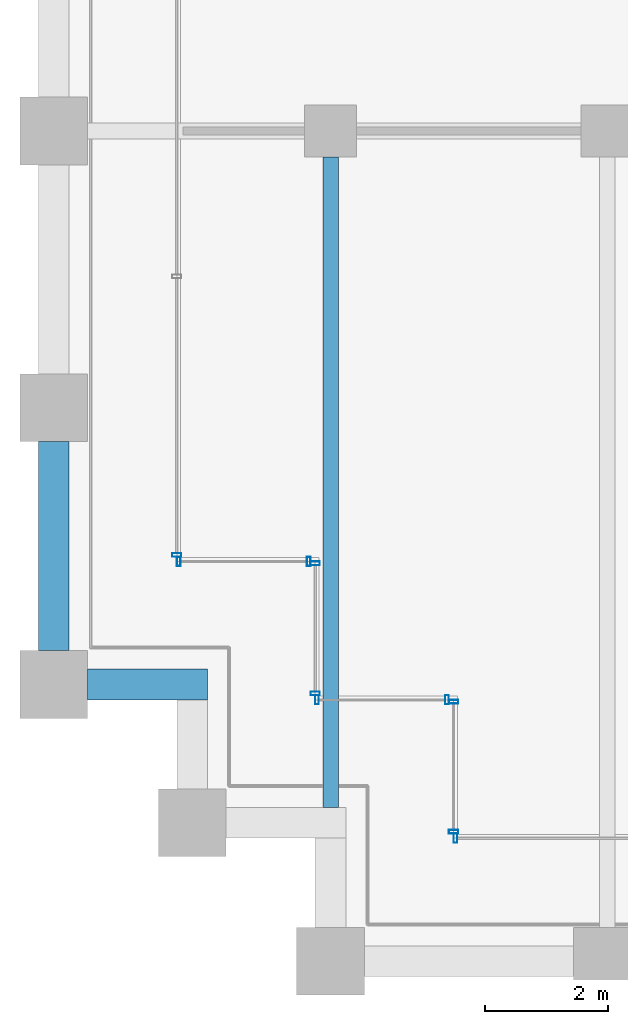
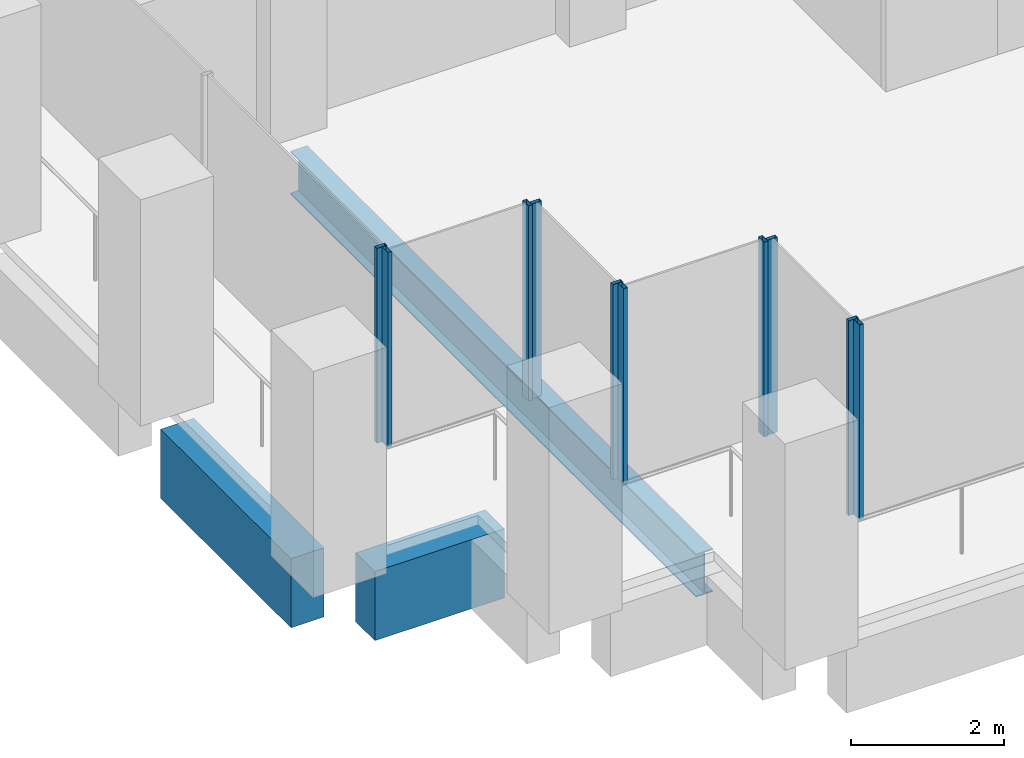
# One storey, part 2 of 56: 10 members, 3 beams, 6 elements without a shape of their own.
"""IFC4 building model written with IfcOpenShell, lengths in metres."""

from ifc_helpers import new_model, si_unit, direction, frame, origin, origin_2d, place, context, subcontext, project, spatial, rectangle, hollow_rectangle, i_section, extrude, material, material_profile, profile_set, type_object, element, aggregate, save


model = new_model("IFC4")

# Units and contexts
model_context = context("Model", 3, precision=1e-05, world=origin(), true_north=direction((0.0, 1.0)))
body_context = subcontext(model_context, "Body", "Model", "MODEL_VIEW")
ifc_project = project(units=[si_unit("LENGTHUNIT", "METRE"), si_unit("AREAUNIT", "SQUARE_METRE"), si_unit("VOLUMEUNIT", "CUBIC_METRE"), si_unit("PLANEANGLEUNIT", "RADIAN"), si_unit("MASSUNIT", "GRAM", prefix="KILO")], contexts=[model_context])

# Site, building, storey
site_placement = place(None, origin())
site = spatial("IfcSite", under=ifc_project, at=site_placement, CompositionType="ELEMENT")
building_placement = place(site_placement, origin())
building = spatial("IfcBuilding", under=site, at=building_placement, Name="Altepetl Exchange Towers", CompositionType="ELEMENT")
storey_placement = place(building_placement, frame((0.0, 0.0, 79.800048828125)))
storey = spatial("IfcBuildingStorey", under=building, at=storey_placement, Name="L19", CompositionType="ELEMENT", Elevation=79.800048828125)

# Beam
ifc_material_1 = material(Name="Steel S355", Category="steel")
ifc_material_profile_1 = material_profile(ifc_material_1, i_section(OverallWidth=0.25390625, OverallDepth=0.68408203125, WebThickness=0.012451171875, FlangeThickness=0.018798828125, at=origin_2d()), Name="W27X94")
ifc_profile_set_1 = profile_set([ifc_material_profile_1], Name="Steel S355")
beam_type_1 = type_object("IfcBeamType", Name="Floor beam W27X94", PredefinedType="BEAM", material=ifc_profile_set_1)
beam_1_placement = place(storey_placement, frame((31.5, 29.5, -0.491943359375), z_axis=(0.0, 1.0, 0.0), x_axis=(-1.0, 0.0, 0.0)))
element("IfcBeam", 1, at=beam_1_placement, inside=storey, type_object=beam_type_1, Name="bm:A:L19:012", PredefinedType="BEAM", context=body_context, shape_type="SweptSolid", body=[
    extrude(i_section(OverallWidth=0.25390625, OverallDepth=0.68408203125, WebThickness=0.012451171875, FlangeThickness=0.018798828125, at=origin_2d()), origin(), (0.0, 0.0, 1.0), 10.574951171875),
])

# Curtain wall, member
ifc_material_2 = material(Name="Aluminium 6063-T6 glazing", Category="aluminium")
curtain_wall_type = type_object("IfcCurtainWallType", Name="Loggia glazing system", PredefinedType="NOTDEFINED", material=ifc_material_2)
curtain_wall_1_placement = place(storey_placement, origin())
curtain_wall_1 = element("IfcCurtainWall", 2, at=curtain_wall_1_placement, inside=storey, type_object=curtain_wall_type, Name="CW1 run", PredefinedType="NOTDEFINED")
ifc_material_3 = material(Name="Aluminium 6063-T6", Category="aluminium")
ifc_material_profile_2 = material_profile(ifc_material_3, hollow_rectangle(XDim=0.06005859375, YDim=0.14990234375, WallThickness=0.0029296875, at=origin_2d()), Name="Mullion 60x150 aluminium")
ifc_profile_set_2 = profile_set([ifc_material_profile_2], Name="Aluminium 6063-T6")
member_type = type_object("IfcMemberType", Name="Mullion 60x150 aluminium", PredefinedType="MULLION", material=ifc_profile_set_2)
member_1_placement = place(storey_placement, frame((29.0, 33.60498046875, 0.0), z_axis=(0.0, 0.0, 1.0), x_axis=(0.0, -1.0, 0.0)))
member_1 = element("IfcMember", 3, at=member_1_placement, type_object=member_type, Name="MU1 mullion", PredefinedType="MULLION", context=body_context, shape_type="SweptSolid", body=[
    extrude(hollow_rectangle(XDim=0.06005859375, YDim=0.14990234375, WallThickness=0.0029296875, at=origin_2d()), origin(), (0.0, 0.0, 1.0), 3.099853515625),
])
aggregate(curtain_wall_1, [member_1])

# Curtain wall, members
curtain_wall_2_placement = place(storey_placement, origin())
curtain_wall_2 = element("IfcCurtainWall", 4, at=curtain_wall_2_placement, inside=storey, type_object=curtain_wall_type, Name="CW1 run", PredefinedType="NOTDEFINED")
member_2_placement = place(storey_placement, frame((29.030029296875, 33.5, 0.0)))
member_2 = element("IfcMember", 5, at=member_2_placement, type_object=member_type, Name="MU1 mullion", PredefinedType="MULLION", context=body_context, shape_type="SweptSolid", body=[
    extrude(hollow_rectangle(XDim=0.06005859375, YDim=0.14990234375, WallThickness=0.0029296875, at=origin_2d()), origin(), (0.0, 0.0, 1.0), 3.099853515625),
])
member_3_placement = place(storey_placement, frame((31.14501953125, 33.5, 0.0)))
member_3 = element("IfcMember", 6, at=member_3_placement, type_object=member_type, Name="MU1 mullion", PredefinedType="MULLION", context=body_context, shape_type="SweptSolid", body=[
    extrude(hollow_rectangle(XDim=0.06005859375, YDim=0.14990234375, WallThickness=0.0029296875, at=origin_2d()), origin(), (0.0, 0.0, 1.0), 3.099853515625),
])
aggregate(curtain_wall_2, [member_2, member_3])

curtain_wall_3_placement = place(storey_placement, origin())
curtain_wall_3 = element("IfcCurtainWall", 7, at=curtain_wall_3_placement, inside=storey, type_object=curtain_wall_type, Name="CW1 run", PredefinedType="NOTDEFINED")
member_4_placement = place(storey_placement, frame((31.25, 33.469970703125, 0.0), z_axis=(0.0, 0.0, 1.0), x_axis=(0.0, -1.0, 0.0)))
member_4 = element("IfcMember", 8, at=member_4_placement, type_object=member_type, Name="MU1 mullion", PredefinedType="MULLION", context=body_context, shape_type="SweptSolid", body=[
    extrude(hollow_rectangle(XDim=0.06005859375, YDim=0.14990234375, WallThickness=0.0029296875, at=origin_2d()), origin(), (0.0, 0.0, 1.0), 3.099853515625),
])
member_5_placement = place(storey_placement, frame((31.25, 31.35498046875, 0.0), z_axis=(0.0, 0.0, 1.0), x_axis=(0.0, -1.0, 0.0)))
member_5 = element("IfcMember", 9, at=member_5_placement, type_object=member_type, Name="MU1 mullion", PredefinedType="MULLION", context=body_context, shape_type="SweptSolid", body=[
    extrude(hollow_rectangle(XDim=0.06005859375, YDim=0.14990234375, WallThickness=0.0029296875, at=origin_2d()), origin(), (0.0, 0.0, 1.0), 3.099853515625),
])
aggregate(curtain_wall_3, [member_4, member_5])

curtain_wall_4_placement = place(storey_placement, origin())
curtain_wall_4 = element("IfcCurtainWall", 10, at=curtain_wall_4_placement, inside=storey, type_object=curtain_wall_type, Name="CW1 run", PredefinedType="NOTDEFINED")
member_6_placement = place(storey_placement, frame((31.280029296875, 31.25, 0.0)))
member_6 = element("IfcMember", 11, at=member_6_placement, type_object=member_type, Name="MU1 mullion", PredefinedType="MULLION", context=body_context, shape_type="SweptSolid", body=[
    extrude(hollow_rectangle(XDim=0.06005859375, YDim=0.14990234375, WallThickness=0.0029296875, at=origin_2d()), origin(), (0.0, 0.0, 1.0), 3.099853515625),
])
member_7_placement = place(storey_placement, frame((33.39501953125, 31.25, 0.0)))
member_7 = element("IfcMember", 12, at=member_7_placement, type_object=member_type, Name="MU1 mullion", PredefinedType="MULLION", context=body_context, shape_type="SweptSolid", body=[
    extrude(hollow_rectangle(XDim=0.06005859375, YDim=0.14990234375, WallThickness=0.0029296875, at=origin_2d()), origin(), (0.0, 0.0, 1.0), 3.099853515625),
])
aggregate(curtain_wall_4, [member_6, member_7])

curtain_wall_5_placement = place(storey_placement, origin())
curtain_wall_5 = element("IfcCurtainWall", 13, at=curtain_wall_5_placement, inside=storey, type_object=curtain_wall_type, Name="CW1 run", PredefinedType="NOTDEFINED")
member_8_placement = place(storey_placement, frame((33.5, 31.219970703125, 0.0), z_axis=(0.0, 0.0, 1.0), x_axis=(0.0, -1.0, 0.0)))
member_8 = element("IfcMember", 14, at=member_8_placement, type_object=member_type, Name="MU1 mullion", PredefinedType="MULLION", context=body_context, shape_type="SweptSolid", body=[
    extrude(hollow_rectangle(XDim=0.06005859375, YDim=0.14990234375, WallThickness=0.0029296875, at=origin_2d()), origin(), (0.0, 0.0, 1.0), 3.099853515625),
])
member_9_placement = place(storey_placement, frame((33.5, 29.10498046875, 0.0), z_axis=(0.0, 0.0, 1.0), x_axis=(0.0, -1.0, 0.0)))
member_9 = element("IfcMember", 15, at=member_9_placement, type_object=member_type, Name="MU1 mullion", PredefinedType="MULLION", context=body_context, shape_type="SweptSolid", body=[
    extrude(hollow_rectangle(XDim=0.06005859375, YDim=0.14990234375, WallThickness=0.0029296875, at=origin_2d()), origin(), (0.0, 0.0, 1.0), 3.099853515625),
])
aggregate(curtain_wall_5, [member_8, member_9])

# Curtain wall, member
curtain_wall_6_placement = place(storey_placement, origin())
curtain_wall_6 = element("IfcCurtainWall", 16, at=curtain_wall_6_placement, inside=storey, type_object=curtain_wall_type, Name="CW1 run", PredefinedType="NOTDEFINED")
member_10_placement = place(storey_placement, frame((33.530029296875, 29.0, 0.0)))
member_10 = element("IfcMember", 17, at=member_10_placement, type_object=member_type, Name="MU1 mullion", PredefinedType="MULLION", context=body_context, shape_type="SweptSolid", body=[
    extrude(hollow_rectangle(XDim=0.06005859375, YDim=0.14990234375, WallThickness=0.0029296875, at=origin_2d()), origin(), (0.0, 0.0, 1.0), 3.099853515625),
])
aggregate(curtain_wall_6, [member_10])

# Beams
ifc_material_4 = material(Name="Concrete C50/60 precast with cantera blanca facing", Category="concrete")
ifc_material_profile_3 = material_profile(ifc_material_4, rectangle(XDim=0.5, YDim=1.10009765625, at=origin_2d()), Name="500 x 1100")
ifc_profile_set_3 = profile_set([ifc_material_profile_3], Name="Concrete C50/60 precast with cantera blanca facing")
beam_type_2 = type_object("IfcBeamType", Name="Spandrel beam 500x1100 cantera blanca", PredefinedType="SPANDREL", material=ifc_profile_set_3)
beam_2_placement = place(storey_placement, frame((27.0, 35.449951171875, -0.699951171875), z_axis=(0.0, -1.0, 0.0), x_axis=(1.0, 0.0, 0.0)))
element("IfcBeam", 18, at=beam_2_placement, inside=storey, type_object=beam_type_2, Name="sp:A:L19:043", PredefinedType="SPANDREL", context=body_context, shape_type="SweptSolid", body=[
    extrude(rectangle(XDim=0.5, YDim=1.10009765625, at=origin_2d()), origin(), (0.0, 0.0, 1.0), 3.39990234375),
])
beam_3_placement = place(storey_placement, frame((27.550048828125, 31.5, -0.699951171875), z_axis=(1.0, 0.0, 0.0), x_axis=(0.0, 1.0, 0.0)))
element("IfcBeam", 19, at=beam_3_placement, inside=storey, type_object=beam_type_2, Name="sp:A:L19:044", PredefinedType="SPANDREL", context=body_context, shape_type="SweptSolid", body=[
    extrude(rectangle(XDim=0.5, YDim=1.10009765625, at=origin_2d()), origin(), (0.0, 0.0, 1.0), 1.949951171875),
])

save(model, "model.ifc")
